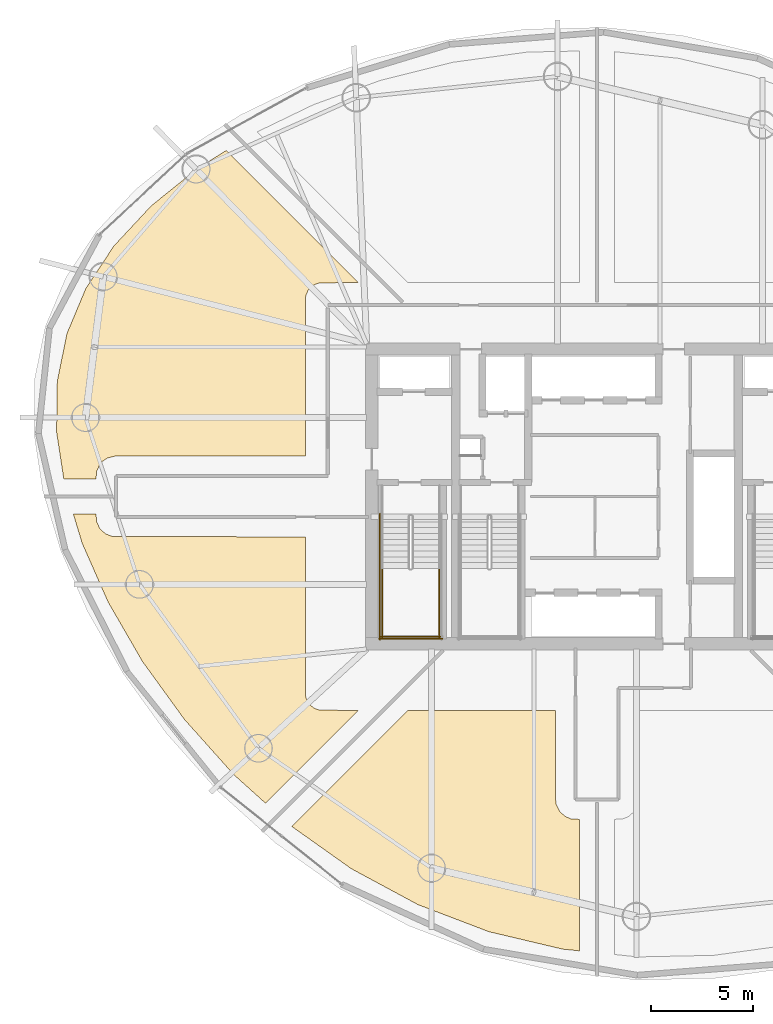
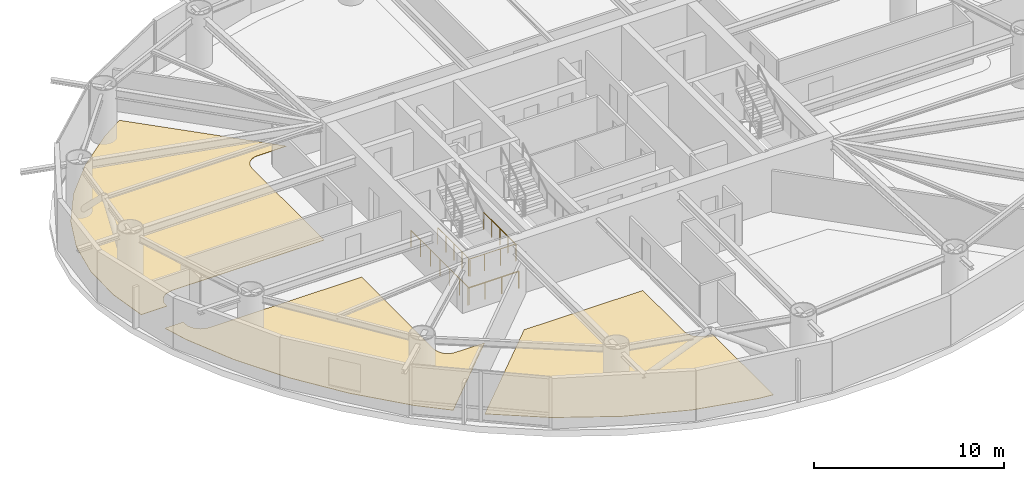
# One storey, part 17 of 21: 5 railings, 3 coverings.
"""IFC4 building model written with IfcOpenShell, lengths in metres."""

from ifc_helpers import new_model, si_unit, direction, frame, origin, origin_2d, place, context, subcontext, project, spatial, polyline, circle, outline, extrude, material, layer, layer_set, type_object, element, save


model = new_model("IFC4")

# Units and contexts
model_context = context("Model", 3, precision=1e-05, world=origin(), true_north=direction((0.0, 1.0)))
body_context = subcontext(model_context, "Body", "Model", "MODEL_VIEW")
ifc_project = project(units=[si_unit("LENGTHUNIT", "METRE"), si_unit("AREAUNIT", "SQUARE_METRE"), si_unit("VOLUMEUNIT", "CUBIC_METRE"), si_unit("PLANEANGLEUNIT", "RADIAN"), si_unit("MASSUNIT", "GRAM", prefix="KILO")], contexts=[model_context])

# Site, building, storey
site_placement = place(None, origin())
site = spatial("IfcSite", under=ifc_project, at=site_placement, CompositionType="ELEMENT")
building_placement = place(site_placement, origin())
building = spatial("IfcBuilding", under=site, at=building_placement, Name="Bramvorn Convention Spire", CompositionType="ELEMENT")
storey_placement = place(building_placement, frame((0.0, 0.0, 102.800048828125)))
storey = spatial("IfcBuildingStorey", under=building, at=storey_placement, Name="L24", CompositionType="ELEMENT", Elevation=102.800048828125)

# Coverings
ifc_material_1 = material(Name="Honed Dolomitic Limestone Terrazzo Flooring", Category="masonry")
ifc_layer = layer(ifc_material_1, 0.02490234375)
ifc_layer_set = layer_set([ifc_layer], Name="Honed Dolomitic Limestone Terrazzo Flooring - FLR-TERRAZZO-25")
covering_type = type_object("IfcCoveringType", Name="FLR-TERRAZZO-25", PredefinedType="FLOORING", material=ifc_layer_set)
covering_1_placement = place(storey_placement, origin())
element("IfcCovering", 1, at=covering_1_placement, inside=storey, type_object=covering_type, Name="L24 Co-Working Office Studio 4 raised floor finish", PredefinedType="FLOORING", context=body_context, shape_type="SweptSolid", body=[
    extrude(outline(polyline([(11.95751953125, 26.85009765625), (13.530029296875, 26.85009765625), (13.560546875, 27.241455078125), (13.724609375, 27.58251953125), (13.85302734375, 27.72265625), (14.080078125, 27.874267578125), (14.446533203125, 27.968505859375), (23.75, 27.969970703125), (23.75, 35.60009765625), (23.78662109375, 35.8466796875), (23.893310546875, 36.072265625), (23.9990234375, 36.200927734375), (24.19921875, 36.349609375), (24.43408203125, 36.43359375), (26.347900390625, 36.449951171875), (19.894287109375, 42.90380859375), (18.490234375, 42.026611328125), (16.229736328125, 40.2001953125), (14.404541015625, 38.240234375), (13.03173828125, 36.162353515625), (12.111328125, 33.96435546875), (11.63720703125, 31.62939453125), (11.604736328125, 29.138916015625), (11.95751953125, 26.85009765625)])), origin(), (0.0, 0.0, 1.0), 0.02490234375),
])
covering_2_placement = place(storey_placement, origin())
element("IfcCovering", 2, at=covering_2_placement, inside=storey, type_object=covering_type, Name="L24 Executive Meeting Room 5 raised floor finish", PredefinedType="FLOORING", context=body_context, shape_type="SweptSolid", body=[
    extrude(outline(polyline([(20.252197265625, 12.419921875), (21.812255859375, 11.014404296875), (26.347900390625, 15.550048828125), (24.43408203125, 15.56640625), (24.19921875, 15.650390625), (23.9990234375, 15.799072265625), (23.893310546875, 15.927734375), (23.78662109375, 16.1533203125), (23.75, 16.39990234375), (23.75, 24.030029296875), (14.363525390625, 24.039794921875), (14.00634765625, 24.1650390625), (13.724609375, 24.41748046875), (13.560546875, 24.758544921875), (13.530029296875, 25.14990234375), (12.419189453125, 25.14990234375), (12.85546875, 23.710693359375), (14.12158203125, 20.841552734375), (15.79248046875, 17.948974609375), (17.844970703125, 15.1123046875), (20.252197265625, 12.419921875)])), origin(), (0.0, 0.0, 1.0), 0.02490234375),
])
covering_3_placement = place(storey_placement, origin())
element("IfcCovering", 3, at=covering_3_placement, inside=storey, type_object=covering_type, Name="L24 Luggage & Linen Store 6 raised floor finish", PredefinedType="FLOORING", context=body_context, shape_type="SweptSolid", body=[
    extrude(outline(polyline([(25.998046875, 7.81787109375), (29.25830078125, 6.0615234375), (32.7158203125, 4.74267578125), (36.31689453125, 3.889892578125), (37.14990234375, 3.80419921875), (37.14990234375, 10.22998046875), (36.72021484375, 10.2578125), (36.4462890625, 10.37109375), (36.16748046875, 10.626953125), (36.0078125, 10.97021484375), (35.97998046875, 11.199951171875), (35.97998046875, 15.550048828125), (28.752197265625, 15.550048828125), (23.08740234375, 9.885498046875), (25.998046875, 7.81787109375)])), origin(), (0.0, 0.0, 1.0), 0.02490234375),
])

# Railings
ifc_material_2 = material(Name="Painted Steel Balustrade & Guardrail", Category="steel")
railing_type = type_object("IfcRailingType", Name="RL-STAIR-GUARD-1100", PredefinedType="GUARDRAIL", material=ifc_material_2)
for number, where, name in (
    (4, (27.5, 22.485107421875, 1.75), "L24 ST1 stair guard 3"),
    (5, (30.300048828125, 22.485107421875, 1.75), "L24 ST1 stair guard 4"),
):
    element("IfcRailing", number, at=place(storey_placement, frame(where)), inside=storey, type_object=railing_type, Name=name, PredefinedType="GUARDRAIL", context=body_context, shape_type="SweptSolid", body=[
        extrude(circle(Radius=0.02392578125, at=origin_2d()), frame((0.0, 0.0, 1.076171875), z_axis=(0.0, -1.0, 0.0), x_axis=(1.0, 0.0, 0.0)), (0.0, 0.0, 1.0), 3.385009765625),
        extrude(circle(Radius=0.02099609375, at=origin_2d()), origin(), (0.0, 0.0, 1.0), 1.052001953125),
        extrude(circle(Radius=0.02099609375, at=origin_2d()), frame((0.0, -0.84619140625, 0.0)), (0.0, 0.0, 1.0), 1.052001953125),
        extrude(circle(Radius=0.02099609375, at=origin_2d()), frame((0.0, -1.6923828125, 0.0)), (0.0, 0.0, 1.0), 1.052001953125),
        extrude(circle(Radius=0.02099609375, at=origin_2d()), frame((0.0, -2.538818359375, 0.0)), (0.0, 0.0, 1.0), 1.052001953125),
        extrude(circle(Radius=0.02099609375, at=origin_2d()), frame((0.0, -3.385009765625, 0.0)), (0.0, 0.0, 1.0), 1.052001953125),
    ])
railing_1_placement = place(storey_placement, frame((27.449951171875, 19.14990234375, 1.75)))
element("IfcRailing", 6, at=railing_1_placement, inside=storey, type_object=railing_type, Name="L24 ST1 stair guard 5", PredefinedType="GUARDRAIL", context=body_context, shape_type="SweptSolid", body=[
    extrude(circle(Radius=0.02392578125, at=origin_2d()), frame((0.0, 0.0, 1.076171875), z_axis=(1.0, 0.0, 0.0), x_axis=(0.0, 1.0, 0.0)), (0.0, 0.0, 1.0), 2.900146484375),
    extrude(circle(Radius=0.02099609375, at=origin_2d()), origin(), (0.0, 0.0, 1.0), 1.052001953125),
    extrude(circle(Radius=0.02099609375, at=origin_2d()), frame((0.966796875, 0.0, 0.0)), (0.0, 0.0, 1.0), 1.052001953125),
    extrude(circle(Radius=0.02099609375, at=origin_2d()), frame((1.933349609375, 0.0, 0.0)), (0.0, 0.0, 1.0), 1.052001953125),
    extrude(circle(Radius=0.02099609375, at=origin_2d()), frame((2.900146484375, 0.0, 0.0)), (0.0, 0.0, 1.0), 1.052001953125),
])
railing_2_placement = place(storey_placement, frame((27.39990234375, 25.14990234375, 0.0)))
element("IfcRailing", 7, at=railing_2_placement, inside=storey, type_object=railing_type, Name="L24 ST1 stair guard 10", PredefinedType="GUARDRAIL", context=body_context, shape_type="SweptSolid", body=[
    extrude(circle(Radius=0.02392578125, at=origin_2d()), frame((0.0, 0.0, 1.076171875), z_axis=(0.0, -1.0, 0.0), x_axis=(1.0, 0.0, 0.0)), (0.0, 0.0, 1.0), 6.14990234375),
    extrude(circle(Radius=0.02099609375, at=origin_2d()), origin(), (0.0, 0.0, 1.0), 1.052001953125),
    extrude(circle(Radius=0.02099609375, at=origin_2d()), frame((0.0, -1.02490234375, 0.0)), (0.0, 0.0, 1.0), 1.052001953125),
    extrude(circle(Radius=0.02099609375, at=origin_2d()), frame((0.0, -2.050048828125, 0.0)), (0.0, 0.0, 1.0), 1.052001953125),
    extrude(circle(Radius=0.02099609375, at=origin_2d()), frame((0.0, -3.074951171875, 0.0)), (0.0, 0.0, 1.0), 1.052001953125),
    extrude(circle(Radius=0.02099609375, at=origin_2d()), frame((0.0, -4.099853515625, 0.0)), (0.0, 0.0, 1.0), 1.052001953125),
    extrude(circle(Radius=0.02099609375, at=origin_2d()), frame((0.0, -5.125, 0.0)), (0.0, 0.0, 1.0), 1.052001953125),
    extrude(circle(Radius=0.02099609375, at=origin_2d()), frame((0.0, -6.14990234375, 0.0)), (0.0, 0.0, 1.0), 1.052001953125),
])
railing_3_placement = place(storey_placement, frame((27.35009765625, 19.050048828125, 0.0)))
element("IfcRailing", 8, at=railing_3_placement, inside=storey, type_object=railing_type, Name="L24 ST1 stair guard 12", PredefinedType="GUARDRAIL", context=body_context, shape_type="SweptSolid", body=[
    extrude(circle(Radius=0.02392578125, at=origin_2d()), frame((0.0, 0.0, 1.076171875), z_axis=(1.0, 0.0, 0.0), x_axis=(0.0, 1.0, 0.0)), (0.0, 0.0, 1.0), 3.099853515625),
    extrude(circle(Radius=0.02099609375, at=origin_2d()), origin(), (0.0, 0.0, 1.0), 1.052001953125),
    extrude(circle(Radius=0.02099609375, at=origin_2d()), frame((1.033203125, 0.0, 0.0)), (0.0, 0.0, 1.0), 1.052001953125),
    extrude(circle(Radius=0.02099609375, at=origin_2d()), frame((2.066650390625, 0.0, 0.0)), (0.0, 0.0, 1.0), 1.052001953125),
    extrude(circle(Radius=0.02099609375, at=origin_2d()), frame((3.099853515625, 0.0, 0.0)), (0.0, 0.0, 1.0), 1.052001953125),
])

save(model, "model.ifc")
